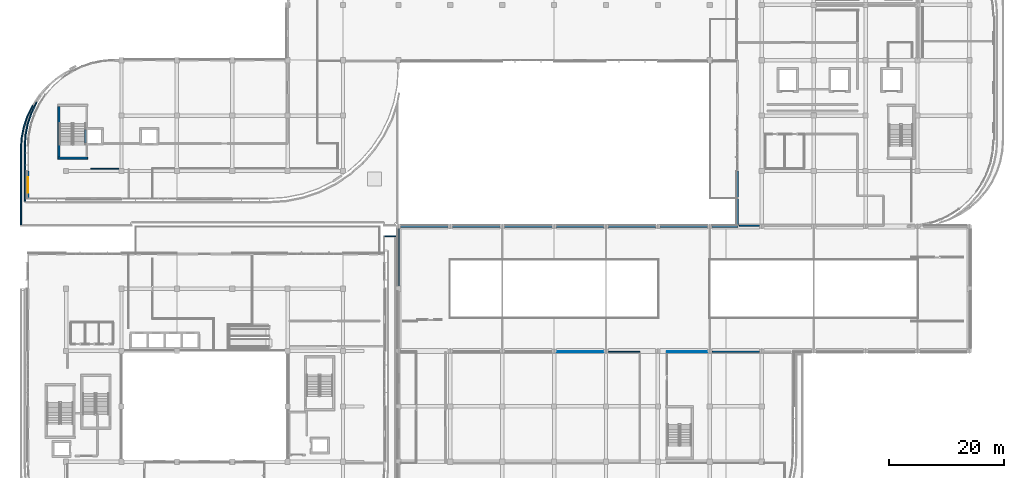
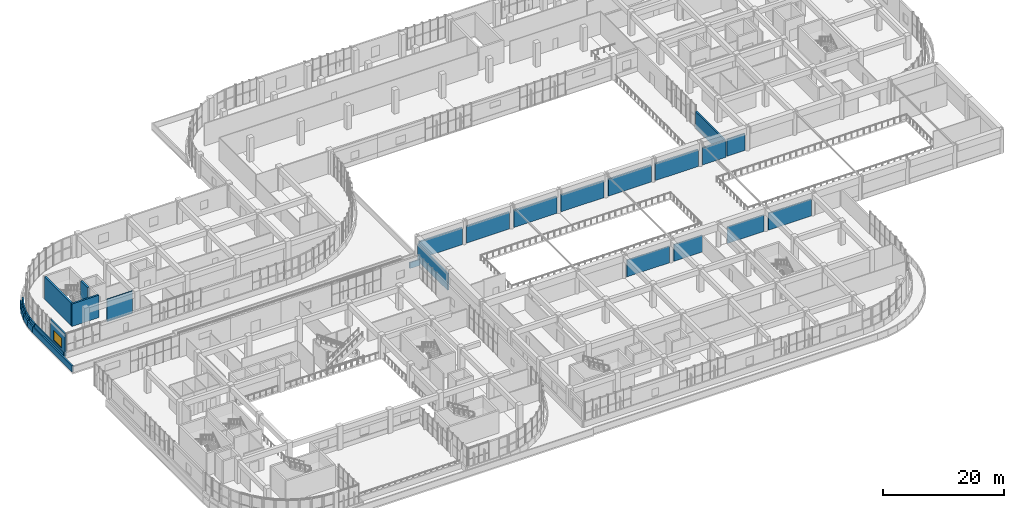
# One storey, part 67 of 96: 30 walls, 1 window, 1 opening.
"""IFC4 building model written with IfcOpenShell, lengths in metres."""

from ifc_helpers import new_model, si_unit, direction, frame, frame_2d, origin, place, context, subcontext, project, spatial, rectangle, extrude, material, layer, layer_set, type_object, element, fill, save


model = new_model("IFC4")

# Units and contexts
model_context = context("Model", 3, precision=1e-05, world=origin(), true_north=direction((0.0, 1.0)))
body_context = subcontext(model_context, "Body", "Model", "MODEL_VIEW")
ifc_project = project(units=[si_unit("LENGTHUNIT", "METRE"), si_unit("AREAUNIT", "SQUARE_METRE"), si_unit("VOLUMEUNIT", "CUBIC_METRE"), si_unit("PLANEANGLEUNIT", "RADIAN"), si_unit("MASSUNIT", "GRAM", prefix="KILO")], contexts=[model_context])

# Site, building, storey
site_placement = place(None, origin())
site = spatial("IfcSite", under=ifc_project, at=site_placement, CompositionType="ELEMENT")
building_placement = place(site_placement, origin())
building = spatial("IfcBuilding", under=site, at=building_placement, Name="Cendralis Terraced Arcade", CompositionType="ELEMENT")
storey_placement = place(building_placement, frame((0.0, 0.0, 10.199951171875)))
storey = spatial("IfcBuildingStorey", under=building, at=storey_placement, Name="L02", CompositionType="ELEMENT", Elevation=10.199951171875)

# Walls
ifc_material_1 = material(Name="Gypsum plasterboard acoustic partition", Category="concrete")
ifc_layer_1 = layer(ifc_material_1, 0.195068359375, Name="WL-ACOU-195")
ifc_layer_set_1 = layer_set([ifc_layer_1], Name="Gypsum plasterboard acoustic partition")
wall_type_1 = type_object("IfcWallType", Name="WL-ACOU-195", PredefinedType="PARTITIONING", material=ifc_layer_set_1)
wall_1_placement = place(storey_placement, frame((13.8798828125, 70.02001953125, 0.0), z_axis=(0.0, 0.0, 1.0), x_axis=(1.0, 0.0, 0.0)))
element("IfcWall", 1, at=wall_1_placement, inside=storey, type_object=wall_type_1, Name="Interior Partition Wall IW-L02-0466", PredefinedType="PARTITIONING", context=body_context, shape_type="SweptSolid", body=[
    extrude(rectangle(XDim=4.85009765625, YDim=0.195068359375, at=frame_2d((2.425048828125, 0.0))), origin(), (0.0, 0.0, 1.0), 4.51513671875),
])
ifc_material_2 = material(Name="Autoclaved aerated concrete blockwork", Category="masonry")
ifc_layer_2 = layer(ifc_material_2, 0.22802734375, Name="WL-ACOU-228")
ifc_layer_set_2 = layer_set([ifc_layer_2], Name="Autoclaved aerated concrete blockwork")
wall_type_2 = type_object("IfcWallType", Name="WL-ACOU-228", PredefinedType="PARTITIONING", material=ifc_layer_set_2)
wall_2_placement = place(storey_placement, frame((121.6201171875, 38.280029296875, 0.0), z_axis=(0.0, 0.0, 1.0), x_axis=(1.0, 0.0, 0.0)))
element("IfcWall", 2, at=wall_2_placement, inside=storey, type_object=wall_type_2, Name="Interior Partition Wall IW-L02-0484", PredefinedType="PARTITIONING", context=body_context, shape_type="SweptSolid", body=[
    extrude(rectangle(XDim=8.159912109375, YDim=0.22802734375, at=frame_2d((4.080078125, 0.0))), origin(), (0.0, 0.0, 1.0), 3.39013671875),
])
ifc_material_3 = material(Name="Concrete f'c 42 MPa", Category="concrete")
ifc_layer_3 = layer(ifc_material_3, 0.340087890625, Name="WL-CORE-340")
ifc_layer_set_3 = layer_set([ifc_layer_3], Name="Concrete f'c 42 MPa")
wall_type_3 = type_object("IfcWallType", Name="WL-CORE-340", PredefinedType="SHEAR", material=ifc_layer_set_3)
wall_3_placement = place(storey_placement, frame((8.159912109375, 71.830078125, 0.0), z_axis=(0.0, 0.0, 1.0), x_axis=(1.0, 0.0, 0.0)))
element("IfcWall", 3, at=wall_3_placement, inside=storey, type_object=wall_type_3, Name="Stair Core Reinforced Concrete Shear Wall SW-ST-07-L02-S", PredefinedType="SHEAR", context=body_context, shape_type="SweptSolid", body=[
    extrude(rectangle(XDim=5.18017578125, YDim=0.340087890625, at=frame_2d((2.590087890625, 0.0))), origin(), (0.0, 0.0, 1.0), 4.51513671875),
])
wall_4_placement = place(storey_placement, frame((8.330078125, 72.0, 0.0), z_axis=(0.0, 0.0, 1.0), x_axis=(0.0, 1.0, 0.0)))
element("IfcWall", 4, at=wall_4_placement, inside=storey, type_object=wall_type_3, Name="Stair Core Reinforced Concrete Shear Wall SW-ST-07-L02-W", PredefinedType="SHEAR", context=body_context, shape_type="SweptSolid", body=[
    extrude(rectangle(XDim=8.800048828125, YDim=0.340087890625, at=frame_2d((4.39990234375, 0.0))), origin(), (0.0, 0.0, 1.0), 4.51513671875),
])
wall_5_placement = place(storey_placement, frame((12.929931640625, 74.47509765625, 0.0), z_axis=(0.0, 0.0, 1.0), x_axis=(0.0, 1.0, 0.0)))
element("IfcWall", 5, at=wall_5_placement, inside=storey, type_object=wall_type_3, Name="Lift PL-05 Reinforced Concrete Shaft Wall (L02)", PredefinedType="SHEAR", context=body_context, shape_type="SweptSolid", body=[
    extrude(rectangle(XDim=2.25, YDim=0.340087890625, at=frame_2d((1.125, 0.0))), origin(), (0.0, 0.0, 1.0), 4.51513671875),
])
ifc_material_4 = material(Name="Precast concrete f'c 40 MPa", Category="concrete")
ifc_layer_4 = layer(ifc_material_4, 0.300048828125, Name="WL-EXT-GRC-300")
ifc_layer_set_4 = layer_set([ifc_layer_4], Name="Precast concrete f'c 40 MPa")
wall_type_4 = type_object("IfcWallType", Name="WL-EXT-GRC-300", PredefinedType="SOLIDWALL", material=ifc_layer_set_4)
for number, where, z_axis, x_axis, name in (
    (6, (67.597900390625, 60.0, 0.0), (0.0, 0.0, 1.0), (1.0, 0.0, 0.0), "Exterior Architectural Wall EW-L02-0153"),
    (7, (76.597900390625, 60.0, 0.0), (0.0, 0.0, 1.0), (1.0, 0.0, 0.0), "Exterior Architectural Wall EW-L02-0154"),
    (8, (85.597900390625, 60.0, 0.0), (0.0, 0.0, 1.0), (1.0, 0.0, 0.0), "Exterior Architectural Wall EW-L02-0155"),
    (9, (94.597900390625, 60.0, 0.0), (0.0, 0.0, 1.0), (1.0, 0.0, 0.0), "Exterior Architectural Wall EW-L02-0156"),
    (10, (103.597900390625, 60.0, 0.0), (0.0, 0.0, 1.0), (1.0, 0.0, 0.0), "Exterior Architectural Wall EW-L02-0157"),
    (11, (112.597900390625, 60.0, 0.0), (0.0, 0.0, 1.0), (1.0, 0.0, 0.0), "Exterior Architectural Wall EW-L02-0158"),
):
    element("IfcWall", number, at=place(storey_placement, frame(where, z_axis=z_axis, x_axis=x_axis)), inside=storey, type_object=wall_type_4, Name=name, PredefinedType="SOLIDWALL", context=body_context, shape_type="SweptSolid", body=[
        extrude(rectangle(XDim=8.2041015625, YDim=0.300048828125, at=frame_2d((4.10205078125, 0.0))), origin(), (0.0, 0.0, 1.0), 3.39013671875),
    ])
wall_6_placement = place(storey_placement, frame((121.597900390625, 60.0, 0.0), z_axis=(0.0, 0.0, 1.0), x_axis=(1.0, 0.0, 0.0)))
element("IfcWall", 12, at=wall_6_placement, inside=storey, type_object=wall_type_4, Name="Exterior Architectural Wall EW-L02-0159", PredefinedType="SOLIDWALL", context=body_context, shape_type="SweptSolid", body=[
    extrude(rectangle(XDim=4.402099609375, YDim=0.300048828125, at=frame_2d((2.201171875, 0.0))), origin(), (0.0, 0.0, 1.0), 3.39013671875),
])
wall_7_placement = place(storey_placement, frame((126.0, 60.169921875, 0.0), z_axis=(0.0, 0.0, 1.0), x_axis=(0.0, 1.0, 0.0)))
element("IfcWall", 13, at=wall_7_placement, inside=storey, type_object=wall_type_4, Name="Exterior Architectural Wall EW-L02-0160", PredefinedType="SOLIDWALL", context=body_context, shape_type="SweptSolid", body=[
    extrude(rectangle(XDim=9.43017578125, YDim=0.300048828125, at=frame_2d((4.715087890625, 0.0))), origin(), (0.0, 0.0, 1.0), 3.39013671875),
])

# Wall, opening, window
wall_8_placement = place(storey_placement, frame((3.0, 64.800048828125, 0.0), z_axis=(0.0, 0.0, 1.0), x_axis=(0.0, 1.0, 0.0)))
wall_8 = element("IfcWall", 14, at=wall_8_placement, inside=storey, type_object=wall_type_4, Name="Exterior Architectural Wall EW-L02-0171", PredefinedType="SOLIDWALL", context=body_context, shape_type="SweptSolid", body=[
    extrude(rectangle(XDim=4.800048828125, YDim=0.300048828125, at=frame_2d((2.39990234375, 0.0))), origin(), (0.0, 0.0, 1.0), 4.51513671875),
])
opening_placement = place(wall_8_placement, frame((1.050048828125, 0.0, 1.0)))
opening = element("IfcOpeningElement", 15, at=opening_placement, cuts=wall_8, Name="Opening W-25", PredefinedType="OPENING", context=body_context, shape_type="SweptSolid", body=[
    extrude(rectangle(XDim=2.699951171875, YDim=2.0, at=frame_2d((1.35009765625, 1.0))), frame((0.0, 0.162109375, 0.0), z_axis=(0.0, -1.0, 0.0), x_axis=(1.0, 0.0, 0.0)), (0.0, 0.0, 1.0), 0.323974609375),
])
ifc_material_5 = material(Name="Tempered solar control laminated glass", Category="glass")
window_type = type_object("IfcWindowType", Name="WN-F3-2700x2000", PartitioningType="SINGLE_PANEL", PredefinedType="WINDOW", material=ifc_material_5)
window_placement = place(opening_placement, origin())
window = element("IfcWindow", 16, at=window_placement, inside=storey, type_object=window_type, Name="Exterior Solar-Control Window WN-L02-0110", OverallHeight=2.0, OverallWidth=2.699951171875, PartitioningType="SINGLE_PANEL", PredefinedType="WINDOW", context=body_context, shape_type="SweptSolid", body=[
    extrude(rectangle(XDim=2.699951171875, YDim=2.0, at=frame_2d((1.35009765625, 1.0))), frame((0.0, 0.030029296875, 0.0), z_axis=(0.0, -1.0, 0.0), x_axis=(1.0, 0.0, 0.0)), (0.0, 0.0, 1.0), 0.06005859375),
])
fill(opening, window)

# Walls
wall_9_placement = place(storey_placement, frame((67.199951171875, 49.64794921875, 0.0), z_axis=(0.0, 0.0, 1.0), x_axis=(0.0, 1.0, 0.0)))
element("IfcWall", 17, at=wall_9_placement, inside=storey, type_object=wall_type_4, Name="Exterior Architectural Wall EW-L02-0212", PredefinedType="SOLIDWALL", context=body_context, shape_type="SweptSolid", body=[
    extrude(rectangle(XDim=9.9541015625, YDim=0.300048828125, at=frame_2d((4.97705078125, 0.0))), origin(), (0.0, 0.0, 1.0), 3.39013671875),
])
ifc_layer_5 = layer(ifc_material_2, 0.235107421875, Name="WL-FIRE-235")
ifc_layer_set_5 = layer_set([ifc_layer_5], Name="Autoclaved aerated concrete blockwork")
wall_type_5 = type_object("IfcWallType", Name="WL-FIRE-235", PredefinedType="PARTITIONING", material=ifc_layer_set_5)
wall_10_placement = place(storey_placement, frame((129.780029296875, 60.1201171875, 0.0), z_axis=(0.0, 0.0, 1.0), x_axis=(-1.0, 0.0, 0.0)))
element("IfcWall", 18, at=wall_10_placement, inside=storey, type_object=wall_type_5, Name="Interior Partition Wall IW-L02-0508", PredefinedType="PARTITIONING", context=body_context, shape_type="SweptSolid", body=[
    extrude(rectangle(XDim=3.43994140625, YDim=0.235107421875, at=frame_2d((1.719970703125, 0.0))), origin(), (0.0, 0.0, 1.0), 3.39013671875),
])
ifc_layer_6 = layer(ifc_material_4, 0.205078125, Name="WL-PAR-205")
ifc_layer_set_6 = layer_set([ifc_layer_6], Name="Precast concrete f'c 40 MPa")
wall_type_6 = type_object("IfcWallType", Name="WL-PAR-205", PredefinedType="PARAPET", material=ifc_layer_set_6)
wall_11_placement = place(storey_placement, frame((64.794921875, 58.277587890625, 0.0), z_axis=(0.0, 0.0, 1.0), x_axis=(1.0, 0.0, 0.0)))
element("IfcWall", 19, at=wall_11_placement, inside=storey, type_object=wall_type_6, Name="Precast Concrete Roof Parapet Wall PAR-L02-153", PredefinedType="PARAPET", context=body_context, shape_type="SweptSolid", body=[
    extrude(rectangle(XDim=1.985107421875, YDim=0.205078125, at=frame_2d((0.99267578125, 0.0))), origin(), (0.0, 0.0, 1.0), 1.199951171875),
])
ifc_layer_7 = layer(ifc_material_4, 0.25, Name="WL-PAR-250")
ifc_layer_set_7 = layer_set([ifc_layer_7], Name="Precast concrete f'c 40 MPa")
wall_type_7 = type_object("IfcWallType", Name="WL-PAR-250", PredefinedType="PARAPET", material=ifc_layer_set_7)
wall_12_placement = place(storey_placement, frame((2.265380859375, 77.26513671875, 0.0), z_axis=(0.0, 0.0, 1.0), x_axis=(0.321496873028, 0.946910640258, 0.0)))
element("IfcWall", 20, at=wall_12_placement, inside=storey, type_object=wall_type_7, Name="Precast Concrete Roof Parapet Wall PAR-L02-001", PredefinedType="PARAPET", context=body_context, shape_type="SweptSolid", body=[
    extrude(rectangle(XDim=2.027587890625, YDim=0.25, at=frame_2d((1.013671875, 0.0))), origin(), (0.0, 0.0, 1.0), 1.199951171875),
])
wall_13_placement = place(storey_placement, frame((2.909912109375, 79.16748046875, 0.0), z_axis=(0.0, 0.0, 1.0), x_axis=(0.442293810985, 0.896870216232, 0.0)))
element("IfcWall", 21, at=wall_13_placement, inside=storey, type_object=wall_type_7, Name="Precast Concrete Roof Parapet Wall PAR-L02-002", PredefinedType="PARAPET", context=body_context, shape_type="SweptSolid", body=[
    extrude(rectangle(XDim=2.02734375, YDim=0.25, at=frame_2d((1.013671875, 0.0))), origin(), (0.0, 0.0, 1.0), 1.199951171875),
])
wall_14_placement = place(storey_placement, frame((4.51513671875, 81.57470703125, 0.0), z_axis=(0.0, 0.0, 1.0), x_axis=(-0.44231781992, -0.896858375766, 0.0)))
element("IfcWall", 22, at=wall_14_placement, inside=storey, type_object=wall_type_7, Name="Precast Concrete Roof Parapet Wall PAR-L02-013", PredefinedType="PARAPET", context=body_context, shape_type="SweptSolid", body=[
    extrude(rectangle(XDim=2.017333984375, YDim=0.25, at=frame_2d((1.0087890625, 0.0))), origin(), (0.0, 0.0, 1.0), 1.199951171875),
])
wall_15_placement = place(storey_placement, frame((3.615478515625, 79.748046875, 0.0), z_axis=(0.0, 0.0, 1.0), x_axis=(-0.321342860941, -0.946962916762, 0.0)))
element("IfcWall", 23, at=wall_15_placement, inside=storey, type_object=wall_type_7, Name="Precast Concrete Roof Parapet Wall PAR-L02-014", PredefinedType="PARAPET", context=body_context, shape_type="SweptSolid", body=[
    extrude(rectangle(XDim=2.01708984375, YDim=0.25, at=frame_2d((1.008544921875, 0.0))), origin(), (0.0, 0.0, 1.0), 1.199951171875),
])
wall_16_placement = place(storey_placement, frame((2.96240234375, 77.819580078125, 0.0), z_axis=(0.0, 0.0, 1.0), x_axis=(-0.195091972221, -0.980784952156, 0.0)))
element("IfcWall", 24, at=wall_16_placement, inside=storey, type_object=wall_type_7, Name="Precast Concrete Roof Parapet Wall PAR-L02-015", PredefinedType="PARAPET", context=body_context, shape_type="SweptSolid", body=[
    extrude(rectangle(XDim=2.017333984375, YDim=0.25, at=frame_2d((1.0087890625, 0.0))), origin(), (0.0, 0.0, 1.0), 1.199951171875),
])
wall_17_placement = place(storey_placement, frame((2.56640625, 75.822265625, 0.0), z_axis=(0.0, 0.0, 1.0), x_axis=(-0.06544318898, -0.997856296776, 0.0)))
element("IfcWall", 25, at=wall_17_placement, inside=storey, type_object=wall_type_7, Name="Precast Concrete Roof Parapet Wall PAR-L02-016", PredefinedType="PARAPET", context=body_context, shape_type="SweptSolid", body=[
    extrude(rectangle(XDim=2.00341796875, YDim=0.25, at=frame_2d((1.001708984375, 0.0))), origin(), (0.0, 0.0, 1.0), 1.199951171875),
])
wall_18_placement = place(storey_placement, frame((2.43505859375, 73.813720703125, 0.0), z_axis=(0.0, 0.0, 1.0), x_axis=(0.0, -1.0, 0.0)))
element("IfcWall", 26, at=wall_18_placement, inside=storey, type_object=wall_type_7, Name="Precast Concrete Roof Parapet Wall PAR-L02-017", PredefinedType="PARAPET", context=body_context, shape_type="SweptSolid", body=[
    extrude(rectangle(XDim=9.433837890625, YDim=0.25, at=frame_2d((4.716796875, 0.0))), origin(), (0.0, 0.0, 1.0), 1.199951171875),
])
wall_19_placement = place(storey_placement, frame((1.7451171875, 60.2900390625, 0.0), z_axis=(0.0, 0.0, 1.0), x_axis=(0.0, 1.0, 0.0)))
element("IfcWall", 27, at=wall_19_placement, inside=storey, type_object=wall_type_7, Name="Precast Concrete Roof Parapet Wall PAR-L02-034", PredefinedType="PARAPET", context=body_context, shape_type="SweptSolid", body=[
    extrude(rectangle(XDim=13.010009765625, YDim=0.25, at=frame_2d((6.5048828125, 0.0))), origin(), (0.0, 0.0, 1.0), 1.199951171875),
])
for number, where, z_axis, x_axis, name in (
    (28, (1.74462890625, 73.29052734375, 0.0), (0.0, 0.0, 1.0), (0.065384104298, 0.997860170016, 0.0), "Precast Concrete Roof Parapet Wall PAR-L02-035"),
    (29, (1.874755859375, 75.294921875, 0.0), (0.0, 0.0, 1.0), (0.195073962632, 0.980788534345, 0.0), "Precast Concrete Roof Parapet Wall PAR-L02-036"),
):
    element("IfcWall", number, at=place(storey_placement, frame(where, z_axis=z_axis, x_axis=x_axis)), inside=storey, type_object=wall_type_7, Name=name, PredefinedType="PARAPET", context=body_context, shape_type="SweptSolid", body=[
        extrude(rectangle(XDim=2.027587890625, YDim=0.25, at=frame_2d((1.013671875, 0.0))), origin(), (0.0, 0.0, 1.0), 1.199951171875),
    ])
ifc_layer_8 = layer(ifc_material_1, 0.1220703125, Name="WL-PART-122")
ifc_layer_set_8 = layer_set([ifc_layer_8], Name="Gypsum plasterboard acoustic partition")
wall_type_8 = type_object("IfcWallType", Name="WL-PART-122", PredefinedType="PARTITIONING", material=ifc_layer_set_8)
wall_20_placement = place(storey_placement, frame((113.780029296875, 38.280029296875, 0.0), z_axis=(0.0, 0.0, 1.0), x_axis=(1.0, 0.0, 0.0)))
element("IfcWall", 30, at=wall_20_placement, inside=storey, type_object=wall_type_8, Name="Interior Partition Wall IW-L02-0479", PredefinedType="PARTITIONING", context=body_context, shape_type="SweptSolid", body=[
    extrude(rectangle(XDim=7.0, YDim=0.1220703125, at=frame_2d((3.5, 0.0))), origin(), (0.0, 0.0, 1.0), 3.39013671875),
])
ifc_layer_9 = layer(ifc_material_1, 0.159912109375, Name="WL-PART-160")
ifc_layer_set_9 = layer_set([ifc_layer_9], Name="Gypsum plasterboard acoustic partition")
wall_type_9 = type_object("IfcWallType", Name="WL-PART-160", PredefinedType="PARTITIONING", material=ifc_layer_set_9)
wall_21_placement = place(storey_placement, frame((94.6201171875, 38.280029296875, 0.0), z_axis=(0.0, 0.0, 1.0), x_axis=(1.0, 0.0, 0.0)))
element("IfcWall", 31, at=wall_21_placement, inside=storey, type_object=wall_type_9, Name="Interior Partition Wall IW-L02-0495", PredefinedType="PARTITIONING", context=body_context, shape_type="SweptSolid", body=[
    extrude(rectangle(XDim=8.159912109375, YDim=0.159912109375, at=frame_2d((4.080078125, 0.0))), origin(), (0.0, 0.0, 1.0), 3.39013671875),
])
ifc_layer_10 = layer(ifc_material_1, 0.179931640625, Name="WL-PART-180")
ifc_layer_set_10 = layer_set([ifc_layer_10], Name="Gypsum plasterboard acoustic partition")
wall_type_10 = type_object("IfcWallType", Name="WL-PART-180", PredefinedType="PARTITIONING", material=ifc_layer_set_10)
wall_22_placement = place(storey_placement, frame((103.6201171875, 38.280029296875, 0.0), z_axis=(0.0, 0.0, 1.0), x_axis=(1.0, 0.0, 0.0)))
element("IfcWall", 32, at=wall_22_placement, inside=storey, type_object=wall_type_10, Name="Interior Partition Wall IW-L02-0491", PredefinedType="PARTITIONING", context=body_context, shape_type="SweptSolid", body=[
    extrude(rectangle(XDim=5.39990234375, YDim=0.179931640625, at=frame_2d((2.699951171875, 0.0))), origin(), (0.0, 0.0, 1.0), 3.39013671875),
])

save(model, "model.ifc")
